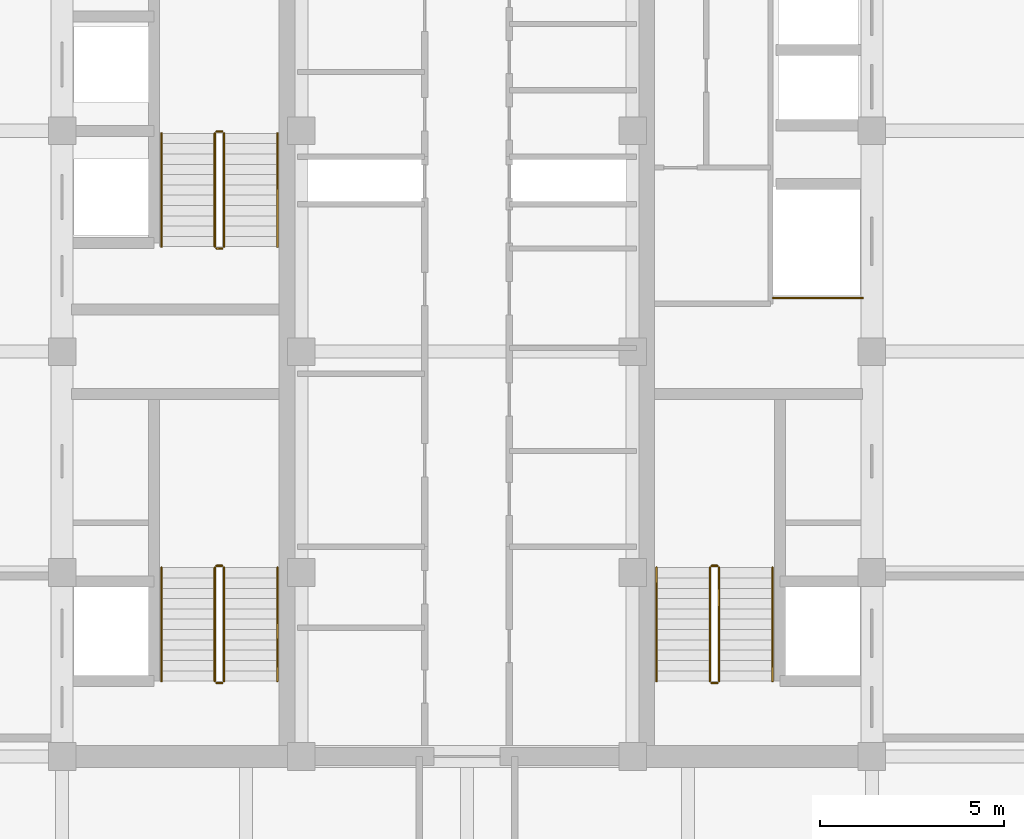
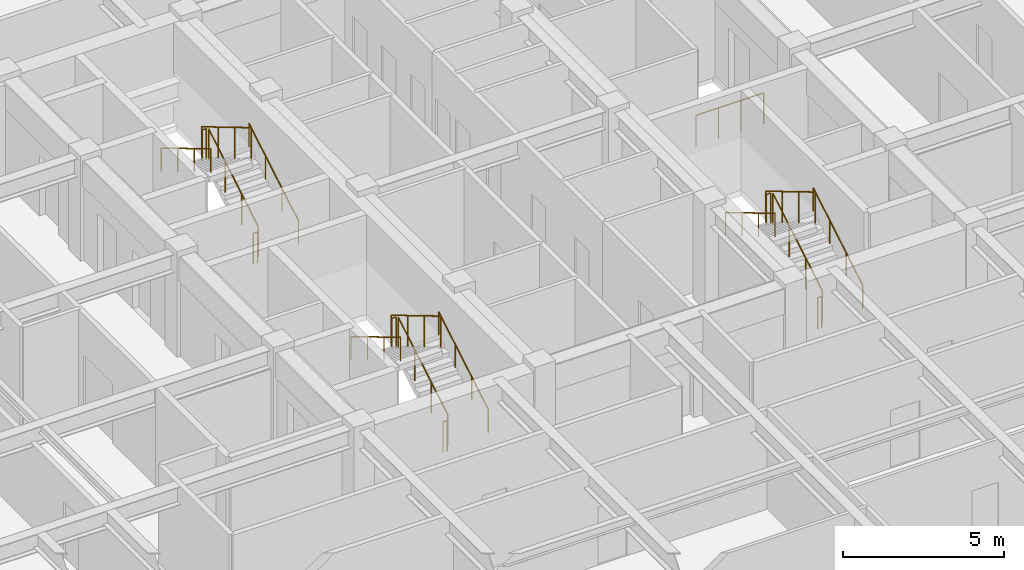
# One storey, part 22 of 22: 19 railings.
"""IFC4 building model written with IfcOpenShell, lengths in metres."""

import ifcopenshell
import ifcopenshell.guid

model = None  # the IFC model being written
_history = None  # IfcOwnerHistory: only IFC2X3 demands one
_inside = {}  # id of a spatial element -> (the spatial element, [elements in it])
_under = {}  # id of a project, library or spatial element -> (it, [spatial elements below it])
_declared = {}  # id of a project -> (the project, [libraries it declares])
_typed = {}  # id of a type object -> (the type object, [elements of that type])
_made_of = {}  # id of a material, layer set ... -> (it, [elements and type objects made of it])


def new_model(schema):
    """Start an empty IFC model of exactly this schema.

    Asked for "IFC4X3", IfcOpenShell would pick the latest addendum, in which some entities
    have other attributes; the version numbers below select the first issue.
    IFC2X3 requires an IfcOwnerHistory on every rooted entity: one is made here for all.
    """
    global model, _history
    if schema == "IFC4X3":
        model = ifcopenshell.file(schema_version=(4, 3, 0, 0))
    else:
        model = ifcopenshell.file(schema=schema)
    _inside.clear()
    _under.clear()
    _declared.clear()
    _typed.clear()
    _made_of.clear()
    _history = None
    if model.schema == "IFC2X3":
        org = make("IfcOrganization", Name="unknown")
        user = make(
            "IfcPersonAndOrganization",
            ThePerson=make("IfcPerson", FamilyName="unknown"),
            TheOrganization=org,
        )
        app = make(
            "IfcApplication",
            ApplicationDeveloper=org,
            Version="unknown",
            ApplicationFullName="unknown",
            ApplicationIdentifier="unknown",
        )
        _history = make(
            "IfcOwnerHistory",
            OwningUser=user,
            OwningApplication=app,
            ChangeAction="ADDED",
            CreationDate=0,
        )
    return model


def make(cls, **values):
    """One entity of the class cls with the attributes given. An attribute that is None is left unset."""
    return model.create_entity(
        cls, **{name: value for name, value in values.items() if value is not None}
    )


def rooted(cls, **values):
    """An entity with a GlobalId (a new one), such as an element, a storey or a relation."""
    return make(cls, GlobalId=ifcopenshell.guid.new(), OwnerHistory=_history, **values)


def si_unit(unit_type, name, prefix=None):
    """IfcSIUnit, for example si_unit("LENGTHUNIT", "METRE", prefix="MILLI")."""
    return make("IfcSIUnit", UnitType=unit_type, Prefix=prefix, Name=name)


def assignment(units):
    """IfcUnitAssignment: the units of a project."""
    return None if units is None else make("IfcUnitAssignment", Units=units)


def point(xyz):
    """IfcCartesianPoint."""
    return None if xyz is None else make("IfcCartesianPoint", Coordinates=xyz)


def direction(xyz):
    """IfcDirection."""
    return None if xyz is None else make("IfcDirection", DirectionRatios=xyz)


def frame(location, z_axis=None, x_axis=None):
    """IfcAxis2Placement3D, a coordinate frame: its origin and axes. An axis left out is left unset."""
    return make(
        "IfcAxis2Placement3D",
        Location=point(location),
        Axis=direction(z_axis),
        RefDirection=direction(x_axis),
    )


def frame_2d(location, x_axis=None):
    """IfcAxis2Placement2D, a coordinate frame in the plane: its origin and x axis."""
    return make(
        "IfcAxis2Placement2D", Location=point(location), RefDirection=direction(x_axis)
    )


def origin():
    """The frame at (0, 0, 0) with its axes left unset."""
    return frame((0.0, 0.0, 0.0))


def origin_2d():
    """The frame at (0, 0) in the plane with its x axis left unset."""
    return frame_2d((0.0, 0.0))


def place(relative_to, where):
    """IfcLocalPlacement: puts the frame where relative to a parent placement (None: the world)."""
    return make(
        "IfcLocalPlacement", PlacementRelTo=relative_to, RelativePlacement=where
    )


def context(
    kind, dimensions, precision=None, world=None, true_north=None, identifier=None
):
    """IfcGeometricRepresentationContext, for example the 3D "Model" context."""
    return make(
        "IfcGeometricRepresentationContext",
        ContextIdentifier=identifier,
        ContextType=kind,
        CoordinateSpaceDimension=dimensions,
        Precision=precision,
        WorldCoordinateSystem=world,
        TrueNorth=true_north,
    )


def subcontext(parent, identifier, kind, view, scale=None):
    """IfcGeometricRepresentationSubContext, for example "Body" below "Model"."""
    return make(
        "IfcGeometricRepresentationSubContext",
        ContextIdentifier=identifier,
        ContextType=kind,
        ParentContext=parent,
        TargetScale=scale,
        TargetView=view,
    )


def project(units=None, contexts=None):
    """IfcProject with its units and contexts."""
    return rooted(
        "IfcProject",
        Name="project",
        RepresentationContexts=contexts,
        UnitsInContext=assignment(units),
    )


def spatial(cls, under=None, at=None, **own):
    """A site, building, storey or space (cls), placed at a placement, below another one or the project."""
    s = rooted(cls, ObjectPlacement=at, **own)
    if under is not None:
        _under.setdefault(under.id(), (under, []))[1].append(s)
    return s


def profile(cls, at=None, kind="AREA", **sizes):
    """A parametric profile (cls). Its sizes go by their IFC names, for example OverallWidth=200.0."""
    return make(cls, ProfileType=kind, Position=at, **sizes)


def circle(**sizes):
    """IfcCircleProfileDef."""
    return profile("IfcCircleProfileDef", **sizes)


def extrude(swept, where, along, depth):
    """IfcExtrudedAreaSolid: the profile swept, set in the frame where, extruded along a direction by depth."""
    return make(
        "IfcExtrudedAreaSolid",
        SweptArea=swept,
        Position=where,
        ExtrudedDirection=direction(along),
        Depth=depth,
    )


def shape(context_of_items, identifier, shape_type, items):
    """IfcShapeRepresentation: the items that make up one representation, for example the "Body"."""
    return make(
        "IfcShapeRepresentation",
        ContextOfItems=context_of_items,
        RepresentationIdentifier=identifier,
        RepresentationType=shape_type,
        Items=items,
    )


def source(mapping_origin, context_of_items, identifier, shape_type, items):
    """IfcRepresentationMap: a shape defined once, which mapped items show again and again."""
    return make(
        "IfcRepresentationMap",
        MappingOrigin=mapping_origin,
        MappedRepresentation=shape(context_of_items, identifier, shape_type, items),
    )


def transform(
    local_origin,
    x_axis=None,
    y_axis=None,
    z_axis=None,
    scale=None,
    scale2=None,
    scale3=None,
    uniform=True,
):
    """IfcCartesianTransformationOperator3D, or its non-uniform kind. x_axis, y_axis, z_axis: its Axis1, 2, 3."""
    if uniform:
        return make(
            "IfcCartesianTransformationOperator3D",
            Axis1=direction(x_axis),
            Axis2=direction(y_axis),
            LocalOrigin=point(local_origin),
            Scale=scale,
            Axis3=direction(z_axis),
        )
    return make(
        "IfcCartesianTransformationOperator3DnonUniform",
        Axis1=direction(x_axis),
        Axis2=direction(y_axis),
        LocalOrigin=point(local_origin),
        Scale=scale,
        Axis3=direction(z_axis),
        Scale2=scale2,
        Scale3=scale3,
    )


def mapped(mapping_source, mapping_target):
    """IfcMappedItem: shows the shape of a source again, moved by a transform."""
    return make(
        "IfcMappedItem", MappingSource=mapping_source, MappingTarget=mapping_target
    )


def material(Name=None, Category=None):
    """IfcMaterial."""
    return make("IfcMaterial", Name=Name, Category=Category)


def made_of(thing, what):
    """Note that an element or type object is made of a material, layer set ...; save() writes the relation."""
    if what is not None:
        _made_of.setdefault(what.id(), (what, []))[1].append(thing)
    return thing


def type_object(cls, material=None, **own):
    """A type object (cls), such as IfcWallType, which elements share."""
    return made_of(rooted(cls, **own), material)


def element(
    cls,
    number,
    at=None,
    inside=None,
    cuts=None,
    type_object=None,
    material=None,
    context=None,
    identifier="Body",
    shape_type=None,
    held_by="IfcProductDefinitionShape",
    body=None,
    shapes=None,
    **own,
):
    """One element of the class cls, such as IfcWall. Its Tag is "e" and its number.

    at: its placement. inside: the storey or other place that contains it. cuts: it is an
    opening in that element (IfcRelVoidsElement). A single representation is given by context,
    identifier, shape_type and body (its items); several are given by shapes. held_by: the class
    of the entity that holds the representations. save() writes the other relations.
    """
    e = rooted(cls, Tag="e%d" % number, ObjectPlacement=at, **own)
    if body is not None:
        shapes = [shape(context, identifier, shape_type, body)]
    if shapes is not None:
        e.Representation = make(held_by, Representations=shapes)
    if inside is not None:
        _inside.setdefault(inside.id(), (inside, []))[1].append(e)
    if cuts is not None:
        rooted(
            "IfcRelVoidsElement", RelatingBuildingElement=cuts, RelatedOpeningElement=e
        )
    if type_object is not None:
        _typed.setdefault(type_object.id(), (type_object, []))[1].append(e)
    return made_of(e, material)


def aggregate(whole, parts):
    """IfcRelAggregates: a whole, such as a stair, and the parts it consists of."""
    return rooted("IfcRelAggregates", RelatingObject=whole, RelatedObjects=parts)


def save(model, path):
    """Write the relations noted so far, then the file.

    IfcRelAggregates (storeys below a building ...), IfcRelContainedInSpatialStructure (elements
    in a storey), IfcRelDefinesByType, IfcRelAssociatesMaterial and IfcRelDeclares: one each for
    every whole, place, type object, material and project.
    """
    for whole, parts in _under.values():
        aggregate(whole, parts)
    for where, things in _inside.values():
        rooted(
            "IfcRelContainedInSpatialStructure",
            RelatedElements=things,
            RelatingStructure=where,
        )
    for kind, things in _typed.values():
        rooted("IfcRelDefinesByType", RelatedObjects=things, RelatingType=kind)
    for what, things in _made_of.values():
        rooted("IfcRelAssociatesMaterial", RelatedObjects=things, RelatingMaterial=what)
    for by, libraries in _declared.values():
        rooted("IfcRelDeclares", RelatingContext=by, RelatedDefinitions=libraries)
    model.write(path)


model = new_model("IFC4")

# Units and contexts
model_context = context("Model", 3, precision=1e-05, world=origin(), true_north=direction((0.0, 1.0)))
body_context = subcontext(model_context, "Body", "Model", "MODEL_VIEW")
ifc_project = project(units=[si_unit("LENGTHUNIT", "METRE"), si_unit("AREAUNIT", "SQUARE_METRE"), si_unit("VOLUMEUNIT", "CUBIC_METRE"), si_unit("PLANEANGLEUNIT", "RADIAN"), si_unit("MASSUNIT", "GRAM", prefix="KILO")], contexts=[model_context])

# Site, building, storey
site_placement = place(None, origin())
site = spatial("IfcSite", under=ifc_project, at=site_placement, CompositionType="ELEMENT")
building_placement = place(site_placement, origin())
building = spatial("IfcBuilding", under=site, at=building_placement, Name="Khorayat Bourse Tower", CompositionType="ELEMENT")
storey_placement = place(building_placement, frame((0.0, 0.0, 297.5)))
storey = spatial("IfcBuildingStorey", under=building, at=storey_placement, Name="L70", CompositionType="ELEMENT", Elevation=297.5)

# Railings
ifc_material_1 = material(Name="Powder-coated steel balustrade", Category="steel")
railing_type_1 = type_object("IfcRailingType", Name="RLG-GUARD-1200", PredefinedType="GUARDRAIL", material=ifc_material_1)
shared_shape_1 = source(origin(), body_context, "Body", "SweptSolid", [
    extrude(circle(Radius=0.02392578125, at=origin_2d()), frame((0.0, 0.0, 1.17578125), z_axis=(-1.0, 0.0, 0.0), x_axis=(0.0, -1.0, 0.0)), (0.0, 0.0, 1.0), 0.150146484375),
    extrude(circle(Radius=0.02099609375, at=origin_2d()), origin(), (0.0, 0.0, 1.0), 1.15185546875),
    extrude(circle(Radius=0.02099609375, at=origin_2d()), frame((-0.150146484375, 0.0, 0.0)), (0.0, 0.0, 1.0), 1.15185546875),
])
for number, where, name in (
    (1, (-6.64990234375, -5.820068359375, 2.0), "L70 ST-1 stair guard 2"),
    (2, (-6.64990234375, -9.0, 0.0), "L70 ST-1 stair guard 4"),
    (3, (-6.64990234375, 5.97998046875, 2.0), "L70 ST-2 stair guard 2"),
    (4, (-6.64990234375, 2.800048828125, 0.0), "L70 ST-2 stair guard 4"),
    (5, (6.800048828125, -5.820068359375, 2.0), "L70 ST-3 stair guard 2"),
    (6, (6.800048828125, -9.0, 0.0), "L70 ST-3 stair guard 4"),
):
    element("IfcRailing", number, at=place(storey_placement, frame(where)), inside=storey, type_object=railing_type_1, Name=name, PredefinedType="GUARDRAIL", context=body_context, shape_type="MappedRepresentation", body=[
        mapped(shared_shape_1, transform((0.0, 0.0, 0.0), scale=1.0)),
    ])
shared_shape_2 = source(origin(), body_context, "Body", "SweptSolid", [
    extrude(circle(Radius=0.02392578125, at=origin_2d()), frame((0.0, 0.0, 1.17578125), z_axis=(0.0, 0.859290745958, 0.51148745235), x_axis=(-1.0, 0.0, 0.0)), (0.0, 0.0, 1.0), 3.584228515625),
    extrude(circle(Radius=0.02099609375, at=origin_2d()), origin(), (0.0, 0.0, 1.0), 1.15185546875),
    extrude(circle(Radius=0.02099609375, at=origin_2d()), frame((0.0, 1.026611328125, 0.611083984375)), (0.0, 0.0, 1.0), 1.15185546875),
    extrude(circle(Radius=0.02099609375, at=origin_2d()), frame((0.0, 2.05322265625, 1.22216796875)), (0.0, 0.0, 1.0), 1.15185546875),
    extrude(circle(Radius=0.02099609375, at=origin_2d()), frame((0.0, 3.079833984375, 1.833251953125)), (0.0, 0.0, 1.0), 1.15185546875),
])
for number, where, name in (
    (7, (-6.60009765625, -8.949951171875, 0.166748046875), "L70 ST-1 stair guard 1"),
    (8, (-6.60009765625, 2.85009765625, 0.166748046875), "L70 ST-2 stair guard 1"),
    (9, (6.85009765625, -8.949951171875, 0.166748046875), "L70 ST-3 stair guard 1"),
):
    element("IfcRailing", number, at=place(storey_placement, frame(where)), inside=storey, type_object=railing_type_1, Name=name, PredefinedType="GUARDRAIL", context=body_context, shape_type="MappedRepresentation", body=[
        mapped(shared_shape_2, transform((0.0, 0.0, 0.0), scale=1.0)),
    ])
shared_shape_3 = source(origin(), body_context, "Body", "SweptSolid", [
    extrude(circle(Radius=0.02392578125, at=origin_2d()), frame((0.0, 0.0, 1.17578125), z_axis=(0.0, -0.859290745958, 0.51148745235), x_axis=(1.0, 0.0, 0.0)), (0.0, 0.0, 1.0), 3.584228515625),
    extrude(circle(Radius=0.02099609375, at=origin_2d()), origin(), (0.0, 0.0, 1.0), 1.15185546875),
    extrude(circle(Radius=0.02099609375, at=origin_2d()), frame((0.0, -1.026611328125, 0.611083984375)), (0.0, 0.0, 1.0), 1.15185546875),
    extrude(circle(Radius=0.02099609375, at=origin_2d()), frame((0.0, -2.05322265625, 1.22216796875)), (0.0, 0.0, 1.0), 1.15185546875),
    extrude(circle(Radius=0.02099609375, at=origin_2d()), frame((0.0, -3.079833984375, 1.833251953125)), (0.0, 0.0, 1.0), 1.15185546875),
])
for number, where, name in (
    (10, (-6.85009765625, -5.8701171875, 2.166748046875), "L70 ST-1 stair guard 3"),
    (11, (-6.85009765625, 5.929931640625, 2.166748046875), "L70 ST-2 stair guard 3"),
    (12, (6.60009765625, -5.8701171875, 2.166748046875), "L70 ST-3 stair guard 3"),
):
    element("IfcRailing", number, at=place(storey_placement, frame(where)), inside=storey, type_object=railing_type_1, Name=name, PredefinedType="GUARDRAIL", context=body_context, shape_type="MappedRepresentation", body=[
        mapped(shared_shape_3, transform((0.0, 0.0, 0.0), scale=1.0)),
    ])
ifc_material_2 = material(Name="Brushed bronze stainless-steel handrail", Category="steel")
railing_type_2 = type_object("IfcRailingType", Name="RLG-HAND-900", PredefinedType="HANDRAIL", material=ifc_material_2)
shared_shape_4 = source(origin(), body_context, "Body", "SweptSolid", [
    extrude(circle(Radius=0.02392578125, at=origin_2d()), frame((0.0, 0.0, 0.8759765625), z_axis=(0.0, 0.859290745958, 0.51148745235), x_axis=(-1.0, 0.0, 0.0)), (0.0, 0.0, 1.0), 3.584228515625),
    extrude(circle(Radius=0.02099609375, at=origin_2d()), origin(), (0.0, 0.0, 1.0), 0.851806640625),
    extrude(circle(Radius=0.02099609375, at=origin_2d()), frame((0.0, 1.026611328125, 0.611083984375)), (0.0, 0.0, 1.0), 0.851806640625),
    extrude(circle(Radius=0.02099609375, at=origin_2d()), frame((0.0, 2.05322265625, 1.22216796875)), (0.0, 0.0, 1.0), 0.851806640625),
    extrude(circle(Radius=0.02099609375, at=origin_2d()), frame((0.0, 3.079833984375, 1.833251953125)), (0.0, 0.0, 1.0), 0.851806640625),
])
for number, where, name in (
    (13, (-5.14990234375, -8.949951171875, 0.166748046875), "L70 ST-1 stair handrail 1"),
    (14, (-5.14990234375, 2.85009765625, 0.166748046875), "L70 ST-2 stair handrail 1"),
    (15, (8.300048828125, -8.949951171875, 0.166748046875), "L70 ST-3 stair handrail 1"),
):
    element("IfcRailing", number, at=place(storey_placement, frame(where)), inside=storey, type_object=railing_type_2, Name=name, PredefinedType="HANDRAIL", context=body_context, shape_type="MappedRepresentation", body=[
        mapped(shared_shape_4, transform((0.0, 0.0, 0.0), scale=1.0)),
    ])
shared_shape_5 = source(origin(), body_context, "Body", "SweptSolid", [
    extrude(circle(Radius=0.02392578125, at=origin_2d()), frame((0.0, 0.0, 0.8759765625), z_axis=(0.0, -0.859290745958, 0.51148745235), x_axis=(1.0, 0.0, 0.0)), (0.0, 0.0, 1.0), 3.584228515625),
    extrude(circle(Radius=0.02099609375, at=origin_2d()), origin(), (0.0, 0.0, 1.0), 0.851806640625),
    extrude(circle(Radius=0.02099609375, at=origin_2d()), frame((0.0, -1.026611328125, 0.611083984375)), (0.0, 0.0, 1.0), 0.851806640625),
    extrude(circle(Radius=0.02099609375, at=origin_2d()), frame((0.0, -2.05322265625, 1.22216796875)), (0.0, 0.0, 1.0), 0.851806640625),
    extrude(circle(Radius=0.02099609375, at=origin_2d()), frame((0.0, -3.079833984375, 1.833251953125)), (0.0, 0.0, 1.0), 0.851806640625),
])
for number, where, name in (
    (16, (-8.300048828125, -5.8701171875, 2.166748046875), "L70 ST-1 stair handrail 2"),
    (17, (-8.300048828125, 5.929931640625, 2.166748046875), "L70 ST-2 stair handrail 2"),
    (18, (5.14990234375, -5.8701171875, 2.166748046875), "L70 ST-3 stair handrail 2"),
):
    element("IfcRailing", number, at=place(storey_placement, frame(where)), inside=storey, type_object=railing_type_2, Name=name, PredefinedType="HANDRAIL", context=body_context, shape_type="MappedRepresentation", body=[
        mapped(shared_shape_5, transform((0.0, 0.0, 0.0), scale=1.0)),
    ])
shared_shape_6 = source(origin(), body_context, "Body", "SweptSolid", [
    extrude(circle(Radius=0.02392578125, at=origin_2d()), frame((0.0, 0.0, 1.17578125), z_axis=(1.0, 0.0, 0.0), x_axis=(0.0, 1.0, 0.0)), (0.0, 0.0, 1.0), 2.429931640625),
    extrude(circle(Radius=0.02099609375, at=origin_2d()), origin(), (0.0, 0.0, 1.0), 1.15185546875),
    extrude(circle(Radius=0.02099609375, at=origin_2d()), frame((0.81005859375, 0.0, 0.0)), (0.0, 0.0, 1.0), 1.15185546875),
    extrude(circle(Radius=0.02099609375, at=origin_2d()), frame((1.619873046875, 0.0, 0.0)), (0.0, 0.0, 1.0), 1.15185546875),
    extrude(circle(Radius=0.02099609375, at=origin_2d()), frame((2.429931640625, 0.0, 0.0)), (0.0, 0.0, 1.0), 1.15185546875),
])
railing_placement = place(storey_placement, frame((8.320068359375, 1.4599609375, 0.0)))
element("IfcRailing", 19, at=railing_placement, inside=storey, type_object=railing_type_1, Name="L70 Goods Shaft Opening Guardrail", PredefinedType="GUARDRAIL", context=body_context, shape_type="MappedRepresentation", body=[
    mapped(shared_shape_6, transform((0.0, 0.0, 0.0), scale=1.0)),
])

save(model, "model.ifc")
